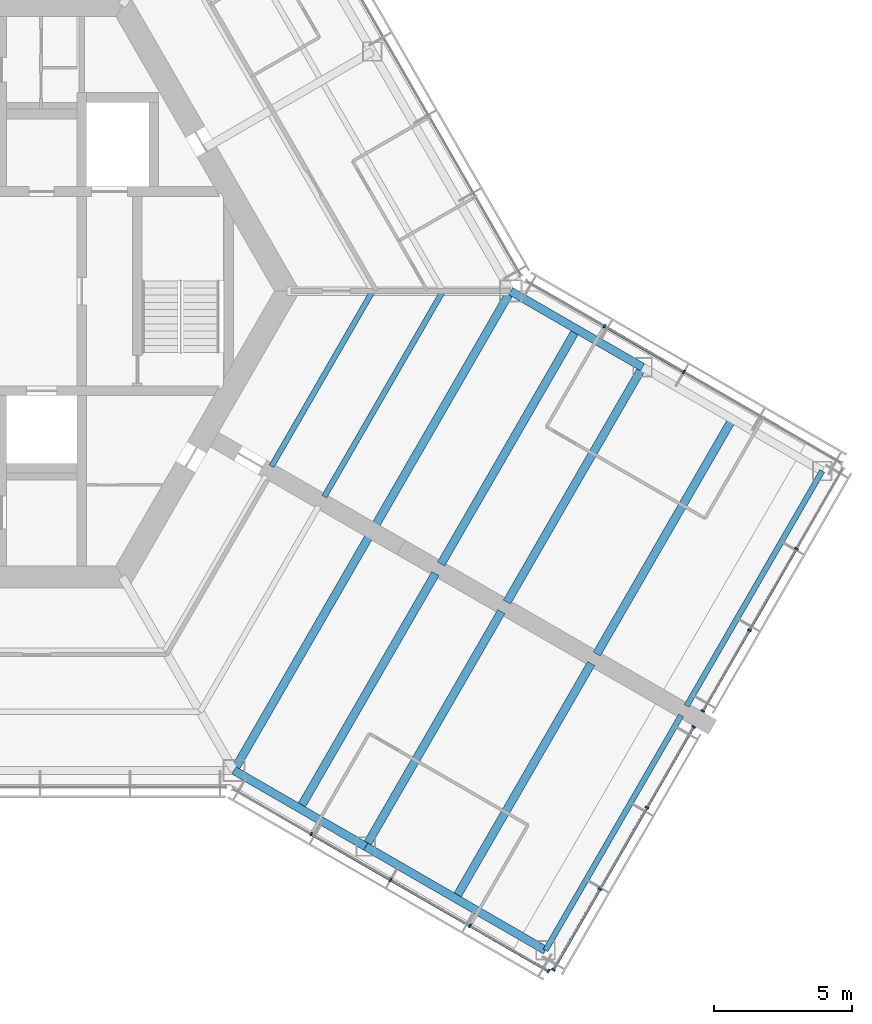
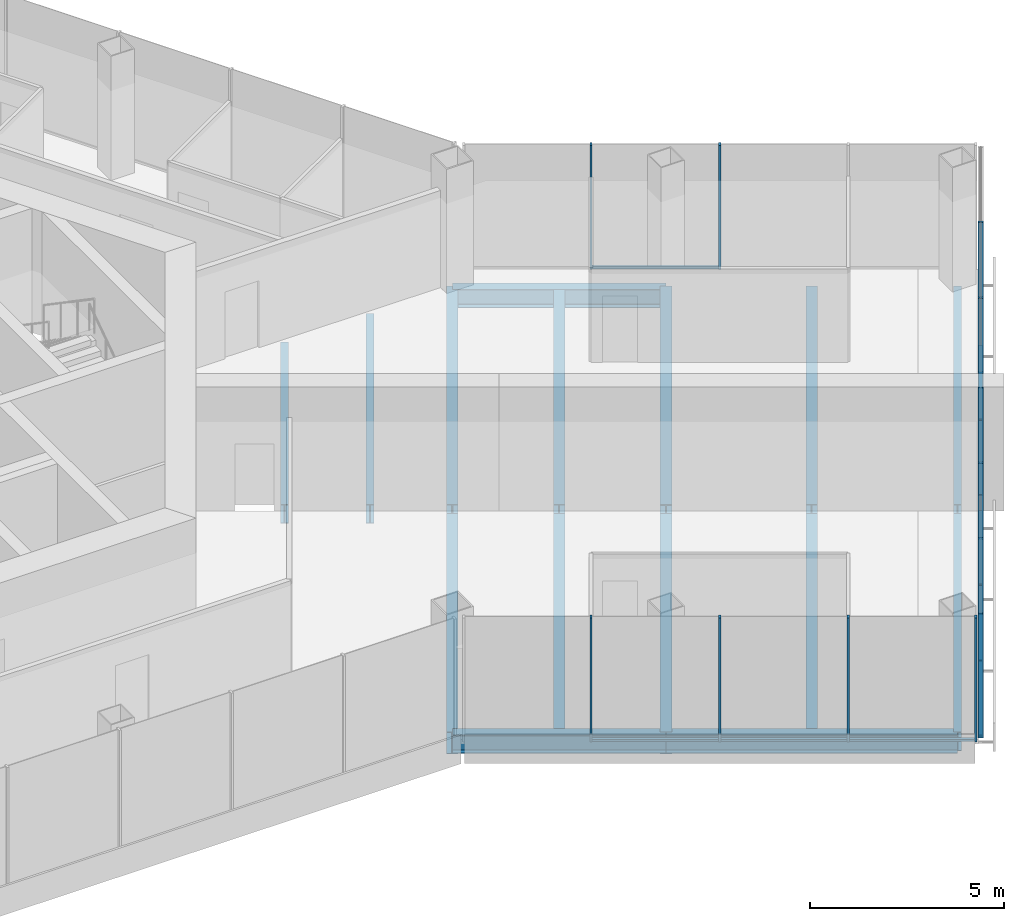
# One storey, part 4 of 15: 22 members, 15 beams, 4 elements without a shape of their own.
"""IFC4 building model written with IfcOpenShell, lengths in metres."""

from ifc_helpers import new_model, si_unit, direction, frame, origin, origin_2d, place, context, subcontext, project, spatial, rectangle, i_section, extrude, material, material_profile, profile_set, type_object, element, aggregate, save


model = new_model("IFC4")

# Units and contexts
model_context = context("Model", 3, precision=1e-05, world=origin(), true_north=direction((0.0, 1.0)))
body_context = subcontext(model_context, "Body", "Model", "MODEL_VIEW")
ifc_project = project(units=[si_unit("LENGTHUNIT", "METRE"), si_unit("AREAUNIT", "SQUARE_METRE"), si_unit("VOLUMEUNIT", "CUBIC_METRE"), si_unit("PLANEANGLEUNIT", "RADIAN"), si_unit("MASSUNIT", "GRAM", prefix="KILO")], contexts=[model_context])

# Site, building, storey
site_placement = place(None, origin())
site = spatial("IfcSite", under=ifc_project, at=site_placement, CompositionType="ELEMENT")
building_placement = place(site_placement, origin())
building = spatial("IfcBuilding", under=site, at=building_placement, Name="Kasaneha Research Tower", CompositionType="ELEMENT")
storey_placement = place(building_placement, frame((0.0, 0.0, 220.60009765625)))
storey = spatial("IfcBuildingStorey", under=building, at=storey_placement, Name="L55", CompositionType="ELEMENT", Elevation=220.60009765625)

# Beams
ifc_material_1 = material(Name="Steel SN490B", Category="steel")
ifc_material_profile_1 = material_profile(ifc_material_1, i_section(OverallWidth=0.199951171875, OverallDepth=0.60009765625, WebThickness=0.010986328125, FlangeThickness=0.01708984375, FilletRadius=0.012939453125, at=origin_2d()), Name="H-600x200x11x17")
ifc_profile_set_1 = profile_set([ifc_material_profile_1], Name="Steel SN490B")
beam_type_1 = type_object("IfcBeamType", Name="B1-3 secondary beam H-600x200x11x17", PredefinedType="JOIST", material=ifc_profile_set_1)
beam_1_placement = place(storey_placement, frame((15.010986328125, 0.0, -0.4501953125), z_axis=(-0.499974128195, -0.866040340363, 0.0), x_axis=(0.866040340363, -0.499974128195, 0.0)))
element("IfcBeam", 1, at=beam_1_placement, inside=storey, type_object=beam_type_1, Name="Secondary beam RS330R1 L55", PredefinedType="JOIST", context=body_context, shape_type="SweptSolid", body=[
    extrude(i_section(OverallWidth=0.199951171875, OverallDepth=0.60009765625, WebThickness=0.010986328125, FlangeThickness=0.01708984375, FilletRadius=0.012939453125, at=origin_2d()), origin(), (0.0, 0.0, 1.0), 7.3056640625),
])
beam_2_placement = place(storey_placement, frame((17.551513671875, 0.0, -0.4501953125), z_axis=(-0.500000102728, -0.866025344474, 0.0), x_axis=(0.866025344474, -0.500000102728, 0.0)))
element("IfcBeam", 2, at=beam_2_placement, inside=storey, type_object=beam_type_1, Name="Secondary beam RS330R2 L55", PredefinedType="JOIST", context=body_context, shape_type="SweptSolid", body=[
    extrude(i_section(OverallWidth=0.199951171875, OverallDepth=0.60009765625, WebThickness=0.010986328125, FlangeThickness=0.01708984375, FilletRadius=0.012939453125, at=origin_2d()), origin(), (0.0, 0.0, 1.0), 8.57568359375),
])
ifc_material_2 = material(Name="Steel SN490B", Category="steel")
ifc_material_profile_2 = material_profile(ifc_material_2, i_section(OverallWidth=0.300048828125, OverallDepth=0.58203125, WebThickness=0.011962890625, FlangeThickness=0.01708984375, FilletRadius=0.012939453125, at=origin_2d()), Name="H-582x300x12x17")
ifc_profile_set_2 = profile_set([ifc_material_profile_2], Name="Steel SN490B")
beam_type_2 = type_object("IfcBeamType", Name="B2-3 secondary beam H-582x300x12x17", PredefinedType="JOIST", material=ifc_profile_set_2)
for number, where, z_axis, x_axis, name in (
    (3, (12.381591796875, -18.695556640625, -0.441162109375), (0.49999201416, 0.866030014362, 0.0), (-0.866030014362, 0.49999201416, 0.0), "Secondary beam WBCP1 L55"),
    (4, (18.0107421875, -21.945556640625, -0.441162109375), (0.49999201416, 0.866030014362, 0.0), (-0.866030014362, 0.49999201416, 0.0), "Secondary beam WBCP2 L55"),
    (5, (22.381591796875, -1.375, -0.441162109375), (-0.49999201416, -0.866030014362, 0.0), (0.866030014362, -0.49999201416, 0.0), "Secondary beam WBCN1 L55"),
    (6, (28.0107421875, -4.625, -0.441162109375), (-0.49999201416, -0.866030014362, 0.0), (0.866030014362, -0.49999201416, 0.0), "Secondary beam WBCN2 L55"),
):
    element("IfcBeam", number, at=place(storey_placement, frame(where, z_axis=z_axis, x_axis=x_axis)), inside=storey, type_object=beam_type_2, Name=name, PredefinedType="JOIST", context=body_context, shape_type="SweptSolid", body=[
        extrude(i_section(OverallWidth=0.300048828125, OverallDepth=0.58203125, WebThickness=0.011962890625, FlangeThickness=0.01708984375, FilletRadius=0.012939453125, at=origin_2d()), origin(), (0.0, 0.0, 1.0), 9.800048828125),
    ])

# Curtain wall, members
ifc_material_3 = material(Name="Glass and aluminium", Category="aluminium")
curtain_wall_type = type_object("IfcCurtainWallType", Name="High-rise office curtain wall", PredefinedType="USERDEFINED", material=ifc_material_3)
curtain_wall_1_placement = place(storey_placement, origin())
curtain_wall_1 = element("IfcCurtainWall", 7, at=curtain_wall_1_placement, inside=storey, type_object=curtain_wall_type, Name="CW-O3 L55 run 06a", ObjectType="UNITISED CURTAIN WALL", PredefinedType="USERDEFINED")
ifc_material_4 = material(Name="Aluminium 6063-T6", Category="aluminium")
ifc_material_profile_3 = material_profile(ifc_material_4, rectangle(XDim=0.06005859375, YDim=0.139892578125, at=origin_2d()), Name="CW-O3 mullion 60x140")
ifc_profile_set_3 = profile_set([ifc_material_profile_3], Name="Aluminium 6063-T6")
member_type_1 = type_object("IfcMemberType", Name="CW-O3 mullion", PredefinedType="MULLION", material=ifc_profile_set_3)
member_1_placement = place(storey_placement, frame((12.792236328125, -19.62548828125, 0.0), z_axis=(0.0, 0.0, 1.0), x_axis=(0.866025411464, -0.499999986699, 0.0)))
member_1 = element("IfcMember", 8, at=member_1_placement, type_object=member_type_1, Name="CW-O3 mullion 2", PredefinedType="MULLION", context=body_context, shape_type="SweptSolid", body=[
    extrude(rectangle(XDim=0.06005859375, YDim=0.139892578125, at=origin_2d()), origin(), (0.0, 0.0, 1.0), 3.89990234375),
])
member_2_placement = place(storey_placement, frame((15.65869140625, -21.2802734375, 0.0), z_axis=(0.0, 0.0, 1.0), x_axis=(0.866025411464, -0.499999986699, 0.0)))
member_2 = element("IfcMember", 9, at=member_2_placement, type_object=member_type_1, Name="CW-O3 mullion 3", PredefinedType="MULLION", context=body_context, shape_type="SweptSolid", body=[
    extrude(rectangle(XDim=0.06005859375, YDim=0.139892578125, at=origin_2d()), origin(), (0.0, 0.0, 1.0), 3.89990234375),
])
member_3_placement = place(storey_placement, frame((18.52490234375, -22.935302734375, 0.0), z_axis=(0.0, 0.0, 1.0), x_axis=(0.866025411464, -0.499999986699, 0.0)))
member_3 = element("IfcMember", 10, at=member_3_placement, type_object=member_type_1, Name="CW-O3 mullion 4", PredefinedType="MULLION", context=body_context, shape_type="SweptSolid", body=[
    extrude(rectangle(XDim=0.06005859375, YDim=0.139892578125, at=origin_2d()), origin(), (0.0, 0.0, 1.0), 3.89990234375),
])
member_4_placement = place(storey_placement, frame((21.365478515625, -24.5751953125, 0.0), z_axis=(0.0, 0.0, 1.0), x_axis=(0.866025411464, -0.499999986699, 0.0)))
member_4 = element("IfcMember", 11, at=member_4_placement, type_object=member_type_1, Name="CW-O3 mullion 5", PredefinedType="MULLION", context=body_context, shape_type="SweptSolid", body=[
    extrude(rectangle(XDim=0.06005859375, YDim=0.139892578125, at=origin_2d()), origin(), (0.0, 0.0, 1.0), 3.89990234375),
])

curtain_wall_2_placement = place(storey_placement, origin())
curtain_wall_2 = element("IfcCurtainWall", 12, at=curtain_wall_2_placement, inside=storey, type_object=curtain_wall_type, Name="CW-O3 L55 run 07a", ObjectType="UNITISED CURTAIN WALL", PredefinedType="USERDEFINED")
member_5_placement = place(storey_placement, frame((21.54296875, -24.527587890625, 0.0), z_axis=(0.0, 0.0, 1.0), x_axis=(0.500000011442, 0.866025397178, 0.0)))
member_5 = element("IfcMember", 13, at=member_5_placement, type_object=member_type_1, Name="CW-O3 mullion 1", PredefinedType="MULLION", context=body_context, shape_type="SweptSolid", body=[
    extrude(rectangle(XDim=0.06005859375, YDim=0.139892578125, at=origin_2d()), origin(), (0.0, 0.0, 1.0), 3.89990234375),
])
member_6_placement = place(storey_placement, frame((23.22802734375, -21.609130859375, 0.0), z_axis=(0.0, 0.0, 1.0), x_axis=(0.500000011442, 0.866025397178, 0.0)))
member_6 = element("IfcMember", 14, at=member_6_placement, type_object=member_type_1, Name="CW-O3 mullion 2", PredefinedType="MULLION", context=body_context, shape_type="SweptSolid", body=[
    extrude(rectangle(XDim=0.06005859375, YDim=0.139892578125, at=origin_2d()), origin(), (0.0, 0.0, 1.0), 3.89990234375),
])
member_7_placement = place(storey_placement, frame((24.927978515625, -18.66455078125, 0.0), z_axis=(0.0, 0.0, 1.0), x_axis=(0.500000011442, 0.866025397178, 0.0)))
member_7 = element("IfcMember", 15, at=member_7_placement, type_object=member_type_1, Name="CW-O3 mullion 3", PredefinedType="MULLION", context=body_context, shape_type="SweptSolid", body=[
    extrude(rectangle(XDim=0.06005859375, YDim=0.139892578125, at=origin_2d()), origin(), (0.0, 0.0, 1.0), 3.89990234375),
])
member_8_placement = place(storey_placement, frame((26.613037109375, -15.74609375, 0.0), z_axis=(0.0, 0.0, 1.0), x_axis=(0.500000011442, 0.866025397178, 0.0)))
member_8 = element("IfcMember", 16, at=member_8_placement, type_object=member_type_1, Name="CW-O3 mullion 4", PredefinedType="MULLION", context=body_context, shape_type="SweptSolid", body=[
    extrude(rectangle(XDim=0.06005859375, YDim=0.139892578125, at=origin_2d()), origin(), (0.0, 0.0, 1.0), 3.89990234375),
])

curtain_wall_3_placement = place(storey_placement, origin())
curtain_wall_3 = element("IfcCurtainWall", 17, at=curtain_wall_3_placement, inside=storey, type_object=curtain_wall_type, Name="CW-O3 L55 run 08a", ObjectType="UNITISED CURTAIN WALL", PredefinedType="USERDEFINED")
member_9_placement = place(storey_placement, frame((26.94287109375, -15.174560546875, 0.0), z_axis=(0.0, 0.0, 1.0), x_axis=(0.500000011442, 0.866025397178, 0.0)))
member_9 = element("IfcMember", 18, at=member_9_placement, type_object=member_type_1, Name="CW-O3 mullion 1", PredefinedType="MULLION", context=body_context, shape_type="SweptSolid", body=[
    extrude(rectangle(XDim=0.06005859375, YDim=0.139892578125, at=origin_2d()), origin(), (0.0, 0.0, 1.0), 3.89990234375),
])
member_10_placement = place(storey_placement, frame((28.6279296875, -12.255859375, 0.0), z_axis=(0.0, 0.0, 1.0), x_axis=(0.500000011442, 0.866025397178, 0.0)))
member_10 = element("IfcMember", 19, at=member_10_placement, type_object=member_type_1, Name="CW-O3 mullion 2", PredefinedType="MULLION", context=body_context, shape_type="SweptSolid", body=[
    extrude(rectangle(XDim=0.06005859375, YDim=0.139892578125, at=origin_2d()), origin(), (0.0, 0.0, 1.0), 3.89990234375),
])
member_11_placement = place(storey_placement, frame((30.327880859375, -9.3115234375, 0.0), z_axis=(0.0, 0.0, 1.0), x_axis=(0.500000011442, 0.866025397178, 0.0)))
member_11 = element("IfcMember", 20, at=member_11_placement, type_object=member_type_1, Name="CW-O3 mullion 3", PredefinedType="MULLION", context=body_context, shape_type="SweptSolid", body=[
    extrude(rectangle(XDim=0.06005859375, YDim=0.139892578125, at=origin_2d()), origin(), (0.0, 0.0, 1.0), 3.89990234375),
])

curtain_wall_4_placement = place(storey_placement, origin())
curtain_wall_4 = element("IfcCurtainWall", 21, at=curtain_wall_4_placement, inside=storey, type_object=curtain_wall_type, Name="CW-O3 L55 run 09a", ObjectType="UNITISED CURTAIN WALL", PredefinedType="USERDEFINED")
member_12_placement = place(storey_placement, frame((26.258544921875, -2.920654296875, 0.0), z_axis=(0.0, 0.0, 1.0), x_axis=(-0.866025411464, 0.499999986699, 0.0)))
member_12 = element("IfcMember", 22, at=member_12_placement, type_object=member_type_1, Name="CW-O3 mullion 3", PredefinedType="MULLION", context=body_context, shape_type="SweptSolid", body=[
    extrude(rectangle(XDim=0.06005859375, YDim=0.139892578125, at=origin_2d()), origin(), (0.0, 0.0, 1.0), 3.89990234375),
])
member_13_placement = place(storey_placement, frame((23.39208984375, -1.265625, 0.0), z_axis=(0.0, 0.0, 1.0), x_axis=(-0.866025411464, 0.499999986699, 0.0)))
member_13 = element("IfcMember", 23, at=member_13_placement, type_object=member_type_1, Name="CW-O3 mullion 4", PredefinedType="MULLION", context=body_context, shape_type="SweptSolid", body=[
    extrude(rectangle(XDim=0.06005859375, YDim=0.139892578125, at=origin_2d()), origin(), (0.0, 0.0, 1.0), 3.89990234375),
])

# Member
ifc_material_5 = material(Name="Aluminium 6063-T6", Category="aluminium")
ifc_material_profile_4 = material_profile(ifc_material_5, rectangle(XDim=0.10009765625, YDim=0.06005859375, at=origin_2d()), Name="CW-O3 transom 100x60")
ifc_profile_set_4 = profile_set([ifc_material_profile_4], Name="Aluminium 6063-T6")
member_type_2 = type_object("IfcMemberType", Name="CW-O3 transom", PredefinedType="USERDEFINED", material=ifc_profile_set_4)
member_14_placement = place(storey_placement, frame((12.818115234375, -19.640380859375, 0.02978515625), z_axis=(0.866015446554, -0.500017246033, 0.0), x_axis=(0.500017246033, 0.866015446554, 0.0)))
member_14 = element("IfcMember", 24, at=member_14_placement, type_object=member_type_2, Name="CW-O3 transom 2", ObjectType="TRANSOM", PredefinedType="USERDEFINED", context=body_context, shape_type="SweptSolid", body=[
    extrude(rectangle(XDim=0.10009765625, YDim=0.06005859375, at=origin_2d()), origin(), (0.0, 0.0, 1.0), 3.25),
])

member_15_placement = place(storey_placement, frame((15.6845703125, -21.29541015625, 0.02978515625), z_axis=(0.86604797581, -0.499960902066, 0.0), x_axis=(0.499960902066, 0.86604797581, 0.0)))
member_15 = element("IfcMember", 25, at=member_15_placement, type_object=member_type_2, Name="CW-O3 transom 3", ObjectType="TRANSOM", PredefinedType="USERDEFINED", context=body_context, shape_type="SweptSolid", body=[
    extrude(rectangle(XDim=0.10009765625, YDim=0.06005859375, at=origin_2d()), origin(), (0.0, 0.0, 1.0), 3.249755859375),
])

member_16_placement = place(storey_placement, frame((18.551025390625, -22.9501953125, 0.02978515625), z_axis=(0.866022692473, -0.500004696101, 0.0), x_axis=(0.500004696101, 0.866022692473, 0.0)))
member_16 = element("IfcMember", 26, at=member_16_placement, type_object=member_type_2, Name="CW-O3 transom 4", ObjectType="TRANSOM", PredefinedType="USERDEFINED", context=body_context, shape_type="SweptSolid", body=[
    extrude(rectangle(XDim=0.10009765625, YDim=0.06005859375, at=origin_2d()), origin(), (0.0, 0.0, 1.0), 3.2197265625),
])

aggregate(curtain_wall_1, [member_1, member_2, member_3, member_4, member_14, member_15, member_16])

member_17_placement = place(storey_placement, frame((21.557861328125, -24.50146484375, 0.02978515625), z_axis=(0.500018282537, 0.866014848099, 0.0), x_axis=(-0.866014848099, 0.500018282537, 0.0)))
member_17 = element("IfcMember", 27, at=member_17_placement, type_object=member_type_2, Name="CW-O3 transom 1", ObjectType="TRANSOM", PredefinedType="USERDEFINED", context=body_context, shape_type="SweptSolid", body=[
    extrude(rectangle(XDim=0.10009765625, YDim=0.06005859375, at=origin_2d()), origin(), (0.0, 0.0, 1.0), 3.31005859375),
])

member_18_placement = place(storey_placement, frame((23.242919921875, -21.5830078125, 0.02978515625), z_axis=(0.499975549825, 0.866039519639, 0.0), x_axis=(-0.866039519639, 0.499975549825, 0.0)))
member_18 = element("IfcMember", 28, at=member_18_placement, type_object=member_type_2, Name="CW-O3 transom 2", ObjectType="TRANSOM", PredefinedType="USERDEFINED", context=body_context, shape_type="SweptSolid", body=[
    extrude(rectangle(XDim=0.10009765625, YDim=0.06005859375, at=origin_2d()), origin(), (0.0, 0.0, 1.0), 3.340087890625),
])

member_19_placement = place(storey_placement, frame((24.94287109375, -18.638671875, 0.02978515625), z_axis=(0.49998634449, 0.866033287653, 0.0), x_axis=(-0.866033287653, 0.49998634449, 0.0)))
member_19 = element("IfcMember", 29, at=member_19_placement, type_object=member_type_2, Name="CW-O3 transom 3", ObjectType="TRANSOM", PredefinedType="USERDEFINED", context=body_context, shape_type="SweptSolid", body=[
    extrude(rectangle(XDim=0.10009765625, YDim=0.06005859375, at=origin_2d()), origin(), (0.0, 0.0, 1.0), 3.31005859375),
])

aggregate(curtain_wall_2, [member_5, member_6, member_7, member_8, member_17, member_18, member_19])

member_20_placement = place(storey_placement, frame((26.9580078125, -15.1484375, 0.02978515625), z_axis=(0.500018282537, 0.866014848099, 0.0), x_axis=(-0.866014848099, 0.500018282537, 0.0)))
member_20 = element("IfcMember", 30, at=member_20_placement, type_object=member_type_2, Name="CW-O3 transom 1", ObjectType="TRANSOM", PredefinedType="USERDEFINED", context=body_context, shape_type="SweptSolid", body=[
    extrude(rectangle(XDim=0.10009765625, YDim=0.06005859375, at=origin_2d()), origin(), (0.0, 0.0, 1.0), 3.31005859375),
])

member_21_placement = place(storey_placement, frame((28.64306640625, -12.22998046875, 0.02978515625), z_axis=(0.499975549825, 0.866039519639, 0.0), x_axis=(-0.866039519639, 0.499975549825, 0.0)))
member_21 = element("IfcMember", 31, at=member_21_placement, type_object=member_type_2, Name="CW-O3 transom 2", ObjectType="TRANSOM", PredefinedType="USERDEFINED", context=body_context, shape_type="SweptSolid", body=[
    extrude(rectangle(XDim=0.10009765625, YDim=0.06005859375, at=origin_2d()), origin(), (0.0, 0.0, 1.0), 3.340087890625),
])

aggregate(curtain_wall_3, [member_9, member_10, member_11, member_20, member_21])

member_22_placement = place(storey_placement, frame((26.232666015625, -2.905517578125, 0.02978515625), z_axis=(-0.86604797581, 0.499960902066, 0.0), x_axis=(-0.499960902066, -0.86604797581, 0.0)))
member_22 = element("IfcMember", 32, at=member_22_placement, type_object=member_type_2, Name="CW-O3 transom 3", ObjectType="TRANSOM", PredefinedType="USERDEFINED", context=body_context, shape_type="SweptSolid", body=[
    extrude(rectangle(XDim=0.10009765625, YDim=0.06005859375, at=origin_2d()), origin(), (0.0, 0.0, 1.0), 3.249755859375),
])

aggregate(curtain_wall_4, [member_12, member_13, member_22])

# Beams
ifc_material_6 = material(Name="Steel SN490B", Category="steel")
ifc_material_profile_5 = material_profile(ifc_material_6, i_section(OverallWidth=0.300048828125, OverallDepth=0.69189453125, WebThickness=0.012939453125, FlangeThickness=0.02001953125, FilletRadius=0.01806640625, at=origin_2d()), Name="H-692x300x13x20")
ifc_profile_set_5 = profile_set([ifc_material_profile_5], Name="Steel SN490B")
beam_type_3 = type_object("IfcBeamType", Name="G3-3 plate edge girder H-692x300x13x20", PredefinedType="BEAM", material=ifc_profile_set_5)
for number, where, z_axis, x_axis, name in (
    (33, (10.0, -17.320556640625, -0.49609375), (0.49999201416, 0.866030014362, 0.0), (-0.866030014362, 0.49999201416, 0.0), "Plate edge girder PECP L55"),
    (34, (20.0, 0.0, -0.49609375), (-0.49999201416, -0.866030014362, 0.0), (0.866030014362, -0.49999201416, 0.0), "Plate edge girder PECN L55"),
):
    element("IfcBeam", number, at=place(storey_placement, frame(where, z_axis=z_axis, x_axis=x_axis)), inside=storey, type_object=beam_type_3, Name=name, PredefinedType="BEAM", context=body_context, shape_type="SweptSolid", body=[
        extrude(i_section(OverallWidth=0.300048828125, OverallDepth=0.69189453125, WebThickness=0.012939453125, FlangeThickness=0.02001953125, FilletRadius=0.01806640625, at=origin_2d()), origin(), (0.0, 0.0, 1.0), 9.800048828125),
    ])
ifc_material_7 = material(Name="Steel SN490B", Category="steel")
ifc_material_profile_6 = material_profile(ifc_material_7, i_section(OverallWidth=0.300048828125, OverallDepth=0.699951171875, WebThickness=0.012939453125, FlangeThickness=0.02392578125, FilletRadius=0.01806640625, at=origin_2d()), Name="H-700x300x13x24")
ifc_profile_set_6 = profile_set([ifc_material_profile_6], Name="Steel SN490B")
beam_type_4 = type_object("IfcBeamType", Name="G4-3 wing girder H-700x300x13x24", PredefinedType="BEAM", material=ifc_profile_set_6)
for number, where, z_axis, x_axis, name in (
    (35, (14.76318359375, -20.070556640625, -0.5), (0.49999201416, 0.866030014362, 0.0), (-0.866030014362, 0.49999201416, 0.0), "Wing girder WGCP L55"),
    (36, (24.76318359375, -2.75, -0.5), (-0.500010698315, -0.866019227021, 0.0), (0.866019227021, -0.500010698315, 0.0), "Wing girder WGCN L55"),
):
    element("IfcBeam", number, at=place(storey_placement, frame(where, z_axis=z_axis, x_axis=x_axis)), inside=storey, type_object=beam_type_4, Name=name, PredefinedType="BEAM", context=body_context, shape_type="SweptSolid", body=[
        extrude(i_section(OverallWidth=0.300048828125, OverallDepth=0.699951171875, WebThickness=0.012939453125, FlangeThickness=0.02392578125, FilletRadius=0.01806640625, at=origin_2d()), origin(), (0.0, 0.0, 1.0), 9.800048828125),
    ])
ifc_material_8 = material(Name="Steel SN490B", Category="steel")
ifc_material_profile_7 = material_profile(ifc_material_8, i_section(OverallWidth=0.300048828125, OverallDepth=0.58203125, WebThickness=0.011962890625, FlangeThickness=0.01708984375, FilletRadius=0.012939453125, at=origin_2d()), Name="H-582x300x12x17")
ifc_profile_set_7 = profile_set([ifc_material_profile_7], Name="Steel SN490B")
beam_type_5 = type_object("IfcBeamType", Name="SB2-3 spandrel beam H-582x300x12x17", PredefinedType="SPANDREL", material=ifc_profile_set_7)
beam_3_placement = place(storey_placement, frame((10.0, -17.320556640625, -0.441162109375), z_axis=(0.866027397988, -0.499996545922, 0.0), x_axis=(0.499996545922, 0.866027397988, 0.0)))
element("IfcBeam", 37, at=beam_3_placement, inside=storey, type_object=beam_type_5, Name="Spandrel beam WSCP1 L55", PredefinedType="SPANDREL", context=body_context, shape_type="SweptSolid", body=[
    extrude(i_section(OverallWidth=0.300048828125, OverallDepth=0.58203125, WebThickness=0.011962890625, FlangeThickness=0.01708984375, FilletRadius=0.012939453125, at=origin_2d()), origin(), (0.0, 0.0, 1.0), 5.5),
])
beam_4_placement = place(storey_placement, frame((14.76318359375, -20.070556640625, -0.441162109375), z_axis=(0.866022959057, -0.500004234368, 0.0), x_axis=(0.500004234368, 0.866022959057, 0.0)))
element("IfcBeam", 38, at=beam_4_placement, inside=storey, type_object=beam_type_5, Name="Spandrel beam WSCP2 L55", PredefinedType="SPANDREL", context=body_context, shape_type="SweptSolid", body=[
    extrude(i_section(OverallWidth=0.300048828125, OverallDepth=0.58203125, WebThickness=0.011962890625, FlangeThickness=0.01708984375, FilletRadius=0.012939453125, at=origin_2d()), origin(), (0.0, 0.0, 1.0), 7.5),
])
beam_5_placement = place(storey_placement, frame((20.0, 0.0, -0.441162109375), z_axis=(0.866027397988, -0.499996545922, 0.0), x_axis=(0.499996545922, 0.866027397988, 0.0)))
element("IfcBeam", 39, at=beam_5_placement, inside=storey, type_object=beam_type_5, Name="Spandrel beam WSCN1 L55", PredefinedType="SPANDREL", context=body_context, shape_type="SweptSolid", body=[
    extrude(i_section(OverallWidth=0.300048828125, OverallDepth=0.58203125, WebThickness=0.011962890625, FlangeThickness=0.01708984375, FilletRadius=0.012939453125, at=origin_2d()), origin(), (0.0, 0.0, 1.0), 5.5),
])
ifc_material_9 = material(Name="Steel SN490B", Category="steel")
ifc_material_profile_8 = material_profile(ifc_material_9, i_section(OverallWidth=0.199951171875, OverallDepth=0.60009765625, WebThickness=0.010986328125, FlangeThickness=0.01708984375, FilletRadius=0.012939453125, at=origin_2d()), Name="H-600x200x11x17")
ifc_profile_set_8 = profile_set([ifc_material_profile_8], Name="Steel SN490B")
beam_type_6 = type_object("IfcBeamType", Name="SB3-3 spandrel beam H-600x200x11x17", PredefinedType="SPANDREL", material=ifc_profile_set_8)
for number, where, z_axis, x_axis, name in (
    (40, (21.25830078125, -23.820556640625, -0.4501953125), (0.500010698315, 0.866019227021, 0.0), (-0.866019227021, 0.500010698315, 0.0), "Spandrel beam WTCP L55"),
    (41, (31.25830078125, -6.5, -0.4501953125), (-0.49999201416, -0.866030014362, 0.0), (0.866030014362, -0.49999201416, 0.0), "Spandrel beam WTCN L55"),
):
    element("IfcBeam", number, at=place(storey_placement, frame(where, z_axis=z_axis, x_axis=x_axis)), inside=storey, type_object=beam_type_6, Name=name, PredefinedType="SPANDREL", context=body_context, shape_type="SweptSolid", body=[
        extrude(i_section(OverallWidth=0.199951171875, OverallDepth=0.60009765625, WebThickness=0.010986328125, FlangeThickness=0.01708984375, FilletRadius=0.012939453125, at=origin_2d()), origin(), (0.0, 0.0, 1.0), 9.800048828125),
    ])

save(model, "model.ifc")
